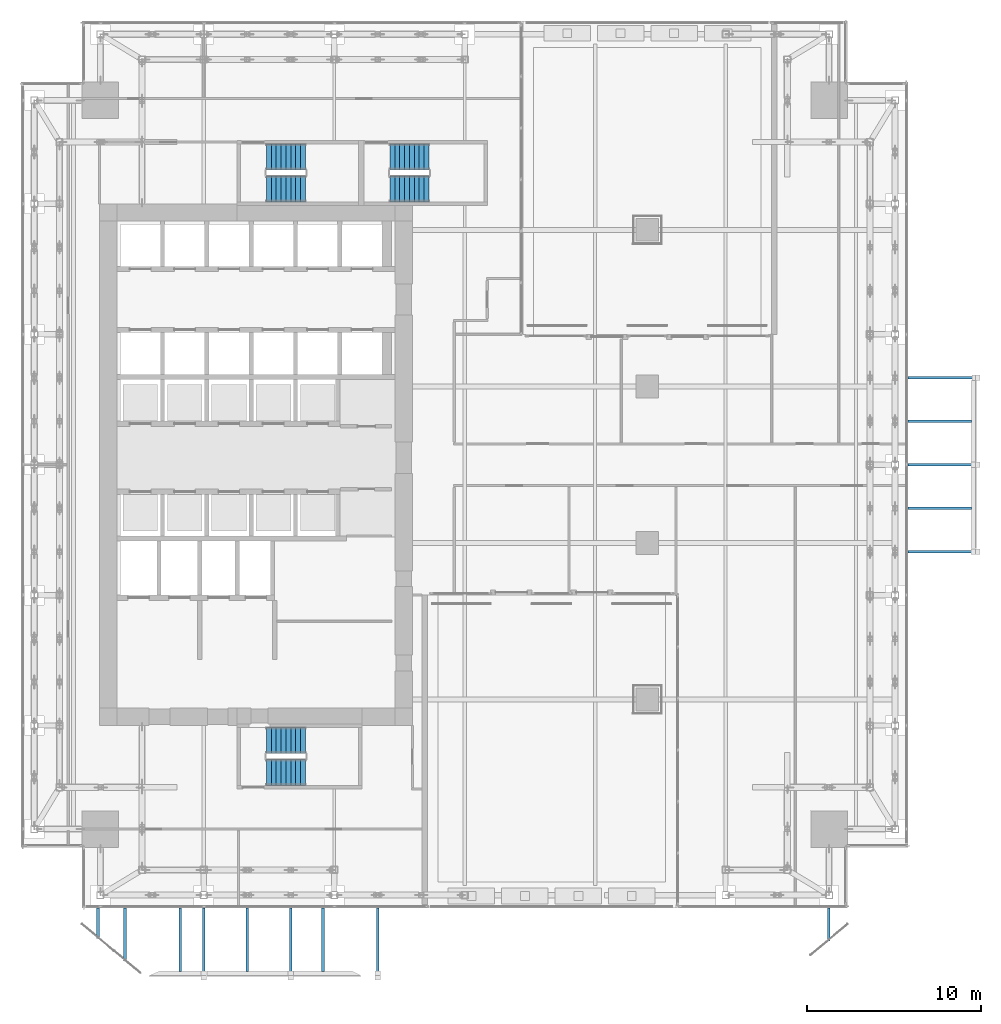
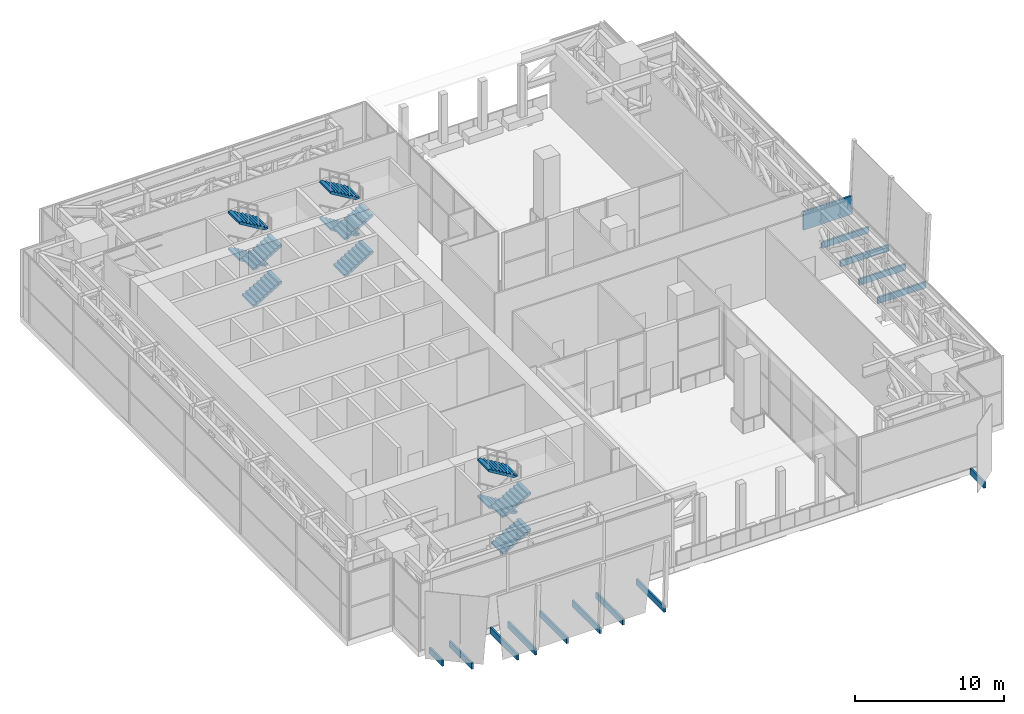
# One storey, part 39 of 47: 14 discrete accessories, 12 stair flights, 3 elements without a shape of their own.
"""IFC4 building model written with IfcOpenShell, lengths in metres."""

import ifcopenshell
import ifcopenshell.guid

model = None  # the IFC model being written
_history = None  # IfcOwnerHistory: only IFC2X3 demands one
_inside = {}  # id of a spatial element -> (the spatial element, [elements in it])
_under = {}  # id of a project, library or spatial element -> (it, [spatial elements below it])
_declared = {}  # id of a project -> (the project, [libraries it declares])
_typed = {}  # id of a type object -> (the type object, [elements of that type])
_made_of = {}  # id of a material, layer set ... -> (it, [elements and type objects made of it])


def new_model(schema):
    """Start an empty IFC model of exactly this schema.

    Asked for "IFC4X3", IfcOpenShell would pick the latest addendum, in which some entities
    have other attributes; the version numbers below select the first issue.
    IFC2X3 requires an IfcOwnerHistory on every rooted entity: one is made here for all.
    """
    global model, _history
    if schema == "IFC4X3":
        model = ifcopenshell.file(schema_version=(4, 3, 0, 0))
    else:
        model = ifcopenshell.file(schema=schema)
    _inside.clear()
    _under.clear()
    _declared.clear()
    _typed.clear()
    _made_of.clear()
    _history = None
    if model.schema == "IFC2X3":
        org = make("IfcOrganization", Name="unknown")
        user = make(
            "IfcPersonAndOrganization",
            ThePerson=make("IfcPerson", FamilyName="unknown"),
            TheOrganization=org,
        )
        app = make(
            "IfcApplication",
            ApplicationDeveloper=org,
            Version="unknown",
            ApplicationFullName="unknown",
            ApplicationIdentifier="unknown",
        )
        _history = make(
            "IfcOwnerHistory",
            OwningUser=user,
            OwningApplication=app,
            ChangeAction="ADDED",
            CreationDate=0,
        )
    return model


def make(cls, **values):
    """One entity of the class cls with the attributes given. An attribute that is None is left unset."""
    return model.create_entity(
        cls, **{name: value for name, value in values.items() if value is not None}
    )


def rooted(cls, **values):
    """An entity with a GlobalId (a new one), such as an element, a storey or a relation."""
    return make(cls, GlobalId=ifcopenshell.guid.new(), OwnerHistory=_history, **values)


def si_unit(unit_type, name, prefix=None):
    """IfcSIUnit, for example si_unit("LENGTHUNIT", "METRE", prefix="MILLI")."""
    return make("IfcSIUnit", UnitType=unit_type, Prefix=prefix, Name=name)


def assignment(units):
    """IfcUnitAssignment: the units of a project."""
    return None if units is None else make("IfcUnitAssignment", Units=units)


def point(xyz):
    """IfcCartesianPoint."""
    return None if xyz is None else make("IfcCartesianPoint", Coordinates=xyz)


def direction(xyz):
    """IfcDirection."""
    return None if xyz is None else make("IfcDirection", DirectionRatios=xyz)


def frame(location, z_axis=None, x_axis=None):
    """IfcAxis2Placement3D, a coordinate frame: its origin and axes. An axis left out is left unset."""
    return make(
        "IfcAxis2Placement3D",
        Location=point(location),
        Axis=direction(z_axis),
        RefDirection=direction(x_axis),
    )


def frame_2d(location, x_axis=None):
    """IfcAxis2Placement2D, a coordinate frame in the plane: its origin and x axis."""
    return make(
        "IfcAxis2Placement2D", Location=point(location), RefDirection=direction(x_axis)
    )


def origin():
    """The frame at (0, 0, 0) with its axes left unset."""
    return frame((0.0, 0.0, 0.0))


def origin_2d():
    """The frame at (0, 0) in the plane with its x axis left unset."""
    return frame_2d((0.0, 0.0))


def place(relative_to, where):
    """IfcLocalPlacement: puts the frame where relative to a parent placement (None: the world)."""
    return make(
        "IfcLocalPlacement", PlacementRelTo=relative_to, RelativePlacement=where
    )


def context(
    kind, dimensions, precision=None, world=None, true_north=None, identifier=None
):
    """IfcGeometricRepresentationContext, for example the 3D "Model" context."""
    return make(
        "IfcGeometricRepresentationContext",
        ContextIdentifier=identifier,
        ContextType=kind,
        CoordinateSpaceDimension=dimensions,
        Precision=precision,
        WorldCoordinateSystem=world,
        TrueNorth=true_north,
    )


def subcontext(parent, identifier, kind, view, scale=None):
    """IfcGeometricRepresentationSubContext, for example "Body" below "Model"."""
    return make(
        "IfcGeometricRepresentationSubContext",
        ContextIdentifier=identifier,
        ContextType=kind,
        ParentContext=parent,
        TargetScale=scale,
        TargetView=view,
    )


def project(units=None, contexts=None):
    """IfcProject with its units and contexts."""
    return rooted(
        "IfcProject",
        Name="project",
        RepresentationContexts=contexts,
        UnitsInContext=assignment(units),
    )


def spatial(cls, under=None, at=None, **own):
    """A site, building, storey or space (cls), placed at a placement, below another one or the project."""
    s = rooted(cls, ObjectPlacement=at, **own)
    if under is not None:
        _under.setdefault(under.id(), (under, []))[1].append(s)
    return s


def polyline(points):
    """IfcPolyline through the points."""
    return make("IfcPolyline", Points=[point(p) for p in points])


def profile(cls, at=None, kind="AREA", **sizes):
    """A parametric profile (cls). Its sizes go by their IFC names, for example OverallWidth=200.0."""
    return make(cls, ProfileType=kind, Position=at, **sizes)


def rectangle(**sizes):
    """IfcRectangleProfileDef."""
    return profile("IfcRectangleProfileDef", **sizes)


def outline(outer, holes=None, kind="AREA"):
    """IfcArbitraryClosedProfileDef: a profile drawn as a closed curve; with holes, ...WithVoids."""
    if holes is None:
        return make("IfcArbitraryClosedProfileDef", ProfileType=kind, OuterCurve=outer)
    return make(
        "IfcArbitraryProfileDefWithVoids",
        ProfileType=kind,
        OuterCurve=outer,
        InnerCurves=holes,
    )


def extrude(swept, where, along, depth):
    """IfcExtrudedAreaSolid: the profile swept, set in the frame where, extruded along a direction by depth."""
    return make(
        "IfcExtrudedAreaSolid",
        SweptArea=swept,
        Position=where,
        ExtrudedDirection=direction(along),
        Depth=depth,
    )


def shape(context_of_items, identifier, shape_type, items):
    """IfcShapeRepresentation: the items that make up one representation, for example the "Body"."""
    return make(
        "IfcShapeRepresentation",
        ContextOfItems=context_of_items,
        RepresentationIdentifier=identifier,
        RepresentationType=shape_type,
        Items=items,
    )


def source(mapping_origin, context_of_items, identifier, shape_type, items):
    """IfcRepresentationMap: a shape defined once, which mapped items show again and again."""
    return make(
        "IfcRepresentationMap",
        MappingOrigin=mapping_origin,
        MappedRepresentation=shape(context_of_items, identifier, shape_type, items),
    )


def transform(
    local_origin,
    x_axis=None,
    y_axis=None,
    z_axis=None,
    scale=None,
    scale2=None,
    scale3=None,
    uniform=True,
):
    """IfcCartesianTransformationOperator3D, or its non-uniform kind. x_axis, y_axis, z_axis: its Axis1, 2, 3."""
    if uniform:
        return make(
            "IfcCartesianTransformationOperator3D",
            Axis1=direction(x_axis),
            Axis2=direction(y_axis),
            LocalOrigin=point(local_origin),
            Scale=scale,
            Axis3=direction(z_axis),
        )
    return make(
        "IfcCartesianTransformationOperator3DnonUniform",
        Axis1=direction(x_axis),
        Axis2=direction(y_axis),
        LocalOrigin=point(local_origin),
        Scale=scale,
        Axis3=direction(z_axis),
        Scale2=scale2,
        Scale3=scale3,
    )


def mapped(mapping_source, mapping_target):
    """IfcMappedItem: shows the shape of a source again, moved by a transform."""
    return make(
        "IfcMappedItem", MappingSource=mapping_source, MappingTarget=mapping_target
    )


def material(Name=None, Category=None):
    """IfcMaterial."""
    return make("IfcMaterial", Name=Name, Category=Category)


def made_of(thing, what):
    """Note that an element or type object is made of a material, layer set ...; save() writes the relation."""
    if what is not None:
        _made_of.setdefault(what.id(), (what, []))[1].append(thing)
    return thing


def type_object(cls, material=None, **own):
    """A type object (cls), such as IfcWallType, which elements share."""
    return made_of(rooted(cls, **own), material)


def element(
    cls,
    number,
    at=None,
    inside=None,
    cuts=None,
    type_object=None,
    material=None,
    context=None,
    identifier="Body",
    shape_type=None,
    held_by="IfcProductDefinitionShape",
    body=None,
    shapes=None,
    **own,
):
    """One element of the class cls, such as IfcWall. Its Tag is "e" and its number.

    at: its placement. inside: the storey or other place that contains it. cuts: it is an
    opening in that element (IfcRelVoidsElement). A single representation is given by context,
    identifier, shape_type and body (its items); several are given by shapes. held_by: the class
    of the entity that holds the representations. save() writes the other relations.
    """
    e = rooted(cls, Tag="e%d" % number, ObjectPlacement=at, **own)
    if body is not None:
        shapes = [shape(context, identifier, shape_type, body)]
    if shapes is not None:
        e.Representation = make(held_by, Representations=shapes)
    if inside is not None:
        _inside.setdefault(inside.id(), (inside, []))[1].append(e)
    if cuts is not None:
        rooted(
            "IfcRelVoidsElement", RelatingBuildingElement=cuts, RelatedOpeningElement=e
        )
    if type_object is not None:
        _typed.setdefault(type_object.id(), (type_object, []))[1].append(e)
    return made_of(e, material)


def aggregate(whole, parts):
    """IfcRelAggregates: a whole, such as a stair, and the parts it consists of."""
    return rooted("IfcRelAggregates", RelatingObject=whole, RelatedObjects=parts)


def save(model, path):
    """Write the relations noted so far, then the file.

    IfcRelAggregates (storeys below a building ...), IfcRelContainedInSpatialStructure (elements
    in a storey), IfcRelDefinesByType, IfcRelAssociatesMaterial and IfcRelDeclares: one each for
    every whole, place, type object, material and project.
    """
    for whole, parts in _under.values():
        aggregate(whole, parts)
    for where, things in _inside.values():
        rooted(
            "IfcRelContainedInSpatialStructure",
            RelatedElements=things,
            RelatingStructure=where,
        )
    for kind, things in _typed.values():
        rooted("IfcRelDefinesByType", RelatedObjects=things, RelatingType=kind)
    for what, things in _made_of.values():
        rooted("IfcRelAssociatesMaterial", RelatedObjects=things, RelatingMaterial=what)
    for by, libraries in _declared.values():
        rooted("IfcRelDeclares", RelatingContext=by, RelatedDefinitions=libraries)
    model.write(path)


model = new_model("IFC4")

# Units and contexts
model_context = context("Model", 3, precision=1e-05, world=origin(), true_north=direction((0.0, 1.0)))
body_context = subcontext(model_context, "Body", "Model", "MODEL_VIEW")
ifc_project = project(units=[si_unit("LENGTHUNIT", "METRE"), si_unit("AREAUNIT", "SQUARE_METRE"), si_unit("VOLUMEUNIT", "CUBIC_METRE"), si_unit("PLANEANGLEUNIT", "RADIAN"), si_unit("MASSUNIT", "GRAM", prefix="KILO")], contexts=[model_context])

# Site, building, storey
site_placement = place(None, origin())
site = spatial("IfcSite", under=ifc_project, at=site_placement, CompositionType="ELEMENT")
building_placement = place(site_placement, origin())
building = spatial("IfcBuilding", under=site, at=building_placement, Name="Khomas Fold Tower", CompositionType="ELEMENT")
storey_placement = place(building_placement, frame((0.0, 0.0, 158.699951171875)))
storey = spatial("IfcBuildingStorey", under=building, at=storey_placement, Name="L34", CompositionType="ELEMENT", Elevation=158.699951171875)

# Stair, stair flights
ifc_material_1 = material(Name="Concrete C40/50", Category="concrete")
stair_type_1 = type_object("IfcStairType", Name="Stair ST1", PredefinedType="HALF_TURN_STAIR", material=ifc_material_1)
stair_1_placement = place(storey_placement, origin())
stair_1 = element("IfcStair", 1, at=stair_1_placement, inside=storey, type_object=stair_type_1, Name="L34 ST1", PredefinedType="HALF_TURN_STAIR")
ifc_material_2 = material(Name="Concrete C40/50", Category="concrete")
stair_flight_type_1 = type_object("IfcStairFlightType", Name="Stair flight 1500 ST1", PredefinedType="STRAIGHT", material=ifc_material_2)
shared_shape_1 = source(origin(), body_context, "Body", "SweptSolid", [
    extrude(outline(polyline([(0.0, 0.0), (0.0, 0.00146484375), (0.0, 0.002685546875), (0.0, 0.004150390625), (0.0, 0.005615234375), (0.0, 0.0068359375), (0.0, 0.00830078125), (0.0, 0.009521484375), (0.0, 0.010986328125), (0.0, 0.012451171875), (0.0, 0.013671875), (0.0, 0.01513671875), (0.0, 0.0166015625), (0.0, 0.017822265625), (0.0, 0.019287109375), (0.0, 0.020751953125), (0.0, 0.02197265625), (0.0, 0.0234375), (0.0, 0.02490234375), (0.0, 0.026123046875), (0.0, 0.027587890625), (0.0, 0.02880859375), (0.0, 0.0302734375), (0.0, 0.03173828125), (0.0, 0.032958984375), (0.0, 0.034423828125), (0.0, 0.035888671875), (0.0, 0.037109375), (0.0, 0.03857421875), (0.0, 0.0400390625), (0.0, 0.041259765625), (0.0, 0.042724609375), (0.0, 0.044189453125), (0.0, 0.04541015625), (0.0, 0.046875), (0.0, 0.048095703125), (0.0, 0.049560546875), (0.0, 0.051025390625), (0.0, 0.05224609375), (0.0, 0.0537109375), (0.0, 0.05517578125), (0.0, 0.056396484375), (0.0, 0.057861328125), (0.0, 0.059326171875), (0.0, 0.060546875), (0.0, 0.06201171875), (0.0, 0.0634765625), (0.0, 0.064697265625), (0.0, 0.066162109375), (0.0, 0.0673828125), (0.0, 0.06884765625), (0.0, 0.0703125), (0.0, 0.071533203125), (0.0, 0.072998046875), (0.0, 0.074462890625), (0.0, 0.07568359375), (0.0, 0.0771484375), (0.0, 0.07861328125), (0.0, 0.079833984375), (0.0, 0.081298828125), (0.0, 0.082763671875), (0.0, 0.083984375), (0.0, 0.08544921875), (0.0, 0.086669921875), (0.0, 0.088134765625), (0.0, 0.089599609375), (0.0, 0.0908203125), (0.0, 0.09228515625), (0.0, 0.09375), (0.0, 0.094970703125), (0.0, 0.096435546875), (0.0, 0.097900390625), (0.0, 0.09912109375), (0.0, 0.1005859375), (0.0, 0.101806640625), (0.0, 0.103271484375), (0.0, 0.104736328125), (0.0, 0.10595703125), (0.0, 0.107421875), (0.0, 0.10888671875), (0.0, 0.110107421875), (0.0, 0.111572265625), (0.0, 0.113037109375), (0.0, 0.1142578125), (0.0, 0.11572265625), (0.0, 0.1171875), (0.0, 0.118408203125), (0.0, 0.119873046875), (0.0, 0.12109375), (0.0, 0.12255859375), (0.0, 0.1240234375), (0.0, 0.125244140625), (0.0, 0.126708984375), (0.0, 0.128173828125), (0.0, 0.12939453125), (0.0, 0.130859375), (0.0, 0.13232421875), (0.0, 0.133544921875), (0.0, 0.135009765625), (0.0, 0.136474609375), (0.0, 0.1376953125), (0.0, 0.13916015625), (0.0, 0.140380859375), (0.0, 0.141845703125), (0.0, 0.143310546875), (0.0, 0.14453125), (0.0, 0.14599609375), (0.0, 0.1474609375), (0.0, 0.148681640625), (0.0, 0.150146484375), (0.0, 0.151611328125), (0.0, 0.15283203125), (0.0, 0.154296875), (0.0, 0.15576171875), (0.0, 0.156982421875), (0.0, 0.158447265625), (0.0, 0.15966796875), (0.0, 0.1611328125), (0.0, 0.16259765625), (0.0, 0.163818359375), (0.0, 0.165283203125), (0.0, 0.166748046875), (0.280029296875, 0.166748046875), (0.280029296875, 0.333251953125), (0.56005859375, 0.333251953125), (0.56005859375, 0.5), (0.840087890625, 0.5), (0.840087890625, 0.666748046875), (1.1201171875, 0.666748046875), (1.1201171875, 0.833251953125), (1.39990234375, 0.833251953125), (1.39990234375, 1.0), (1.679931640625, 1.0), (1.679931640625, 1.166748046875), (1.9599609375, 1.166748046875), (1.9599609375, 1.333251953125), (2.239990234375, 1.333251953125), (2.239990234375, 1.5), (2.239990234375, 1.4970703125), (2.239990234375, 1.494384765625), (2.239990234375, 1.491455078125), (2.239990234375, 1.48876953125), (2.239990234375, 1.48583984375), (2.239990234375, 1.483154296875), (2.239990234375, 1.480224609375), (2.239990234375, 1.4775390625), (2.239990234375, 1.474609375), (2.239990234375, 1.471923828125), (2.239990234375, 1.468994140625), (2.239990234375, 1.466064453125), (2.239990234375, 1.46337890625), (2.239990234375, 1.46044921875), (2.239990234375, 1.457763671875), (2.239990234375, 1.454833984375), (2.239990234375, 1.4521484375), (2.239990234375, 1.44921875), (2.239990234375, 1.446533203125), (2.239990234375, 1.443603515625), (2.239990234375, 1.44091796875), (2.239990234375, 1.43798828125), (2.239990234375, 1.43505859375), (2.239990234375, 1.432373046875), (2.239990234375, 1.429443359375), (2.239990234375, 1.4267578125), (2.239990234375, 1.423828125), (2.239990234375, 1.421142578125), (2.239990234375, 1.418212890625), (2.239990234375, 1.41552734375), (2.239990234375, 1.41259765625), (2.239990234375, 1.40966796875), (2.239990234375, 1.406982421875), (2.239990234375, 1.404052734375), (2.239990234375, 1.4013671875), (2.239990234375, 1.3984375), (2.239990234375, 1.395751953125), (2.239990234375, 1.392822265625), (2.239990234375, 1.39013671875), (2.239990234375, 1.38720703125), (2.239990234375, 1.384521484375), (2.239990234375, 1.381591796875), (2.239990234375, 1.378662109375), (2.239990234375, 1.3759765625), (2.239990234375, 1.373046875), (2.239990234375, 1.370361328125), (2.239990234375, 1.367431640625), (2.239990234375, 1.36474609375), (2.239990234375, 1.36181640625), (2.239990234375, 1.359130859375), (2.239990234375, 1.356201171875), (2.239990234375, 1.353515625), (2.239990234375, 1.3505859375), (2.239990234375, 1.34765625), (2.239990234375, 1.344970703125), (2.239990234375, 1.342041015625), (2.239990234375, 1.33935546875), (2.239990234375, 1.33642578125), (2.239990234375, 1.333740234375), (2.239990234375, 1.330810546875), (2.239990234375, 1.328125), (2.239990234375, 1.3251953125), (2.239990234375, 1.322509765625), (2.239990234375, 1.319580078125), (2.239990234375, 1.316650390625), (2.239990234375, 1.31396484375), (2.239990234375, 1.31103515625), (2.239990234375, 1.308349609375), (2.239990234375, 1.305419921875), (2.239990234375, 1.302734375), (2.239990234375, 1.2998046875), (2.239990234375, 1.297119140625), (2.239990234375, 1.294189453125), (2.239990234375, 1.29150390625), (2.239990234375, 1.28857421875), (2.239990234375, 1.28564453125), (2.239990234375, 1.282958984375), (2.239990234375, 1.280029296875), (2.239990234375, 1.27734375), (2.239990234375, 1.2744140625), (2.239990234375, 1.271728515625), (2.239990234375, 1.268798828125), (2.239990234375, 1.26611328125), (2.239990234375, 1.26318359375), (2.239990234375, 1.26025390625), (2.239990234375, 1.257568359375), (2.239990234375, 1.254638671875), (2.239990234375, 1.251953125), (2.239990234375, 1.2490234375), (2.239990234375, 1.246337890625), (2.239990234375, 1.243408203125), (2.239990234375, 1.24072265625), (2.239990234375, 1.23779296875), (2.239990234375, 1.235107421875), (2.239990234375, 1.232177734375), (2.239990234375, 1.229248046875), (2.239990234375, 1.2265625), (2.239990234375, 1.2236328125), (2.239990234375, 1.220947265625), (2.239990234375, 1.218017578125), (2.239990234375, 1.21533203125), (2.239990234375, 1.21240234375), (2.239990234375, 1.209716796875), (2.239990234375, 1.206787109375), (2.239990234375, 1.2041015625), (2.239990234375, 1.201171875), (2.239990234375, 1.1982421875), (2.239990234375, 1.195556640625), (2.239990234375, 1.192626953125), (2.239990234375, 1.18994140625), (2.239990234375, 1.18701171875), (2.239990234375, 1.184326171875), (2.239990234375, 1.181396484375), (2.239990234375, 1.1787109375), (2.239990234375, 1.17578125), (2.239990234375, 1.173095703125), (2.239990234375, 1.170166015625), (2.239990234375, 1.167236328125), (2.239990234375, 1.16455078125), (2.239990234375, 1.16162109375), (2.239990234375, 1.158935546875), (0.29296875, 0.0), (0.0, 0.0)])), frame((0.0, 0.75, 0.0), z_axis=(0.0, -1.0, 0.0), x_axis=(1.0, 0.0, 0.0)), (0.0, 0.0, 1.0), 1.5),
])
stair_flight_1_placement = place(storey_placement, frame((15.60009765625, 42.85009765625, 0.0), z_axis=(0.0, 0.0, 1.0), x_axis=(1.0, 0.0, 0.0)))
stair_flight_1 = element("IfcStairFlight", 2, at=stair_flight_1_placement, type_object=stair_flight_type_1, Name="ST1 flight 1", NumberOfRisers=9, NumberOfTreads=8, PredefinedType="STRAIGHT", RiserHeight=0.166666667, TreadLength=0.28, context=body_context, shape_type="MappedRepresentation", body=[
    mapped(shared_shape_1, transform((0.0, 0.0, 0.0))),
])
stair_flight_2_placement = place(storey_placement, frame((17.840087890625, 44.699951171875, 1.5), z_axis=(0.0, 0.0, 1.0), x_axis=(-1.0, 0.0, 0.0)))
stair_flight_2 = element("IfcStairFlight", 3, at=stair_flight_2_placement, type_object=stair_flight_type_1, Name="ST1 flight 2", NumberOfRisers=9, NumberOfTreads=8, PredefinedType="STRAIGHT", RiserHeight=0.166666667, TreadLength=0.28, context=body_context, shape_type="MappedRepresentation", body=[
    mapped(shared_shape_1, transform((0.0, 0.0, 0.0))),
])
stair_flight_3_placement = place(storey_placement, frame((15.60009765625, 42.85009765625, 3.0), z_axis=(0.0, 0.0, 1.0), x_axis=(1.0, 0.0, 0.0)))
stair_flight_3 = element("IfcStairFlight", 4, at=stair_flight_3_placement, type_object=stair_flight_type_1, Name="ST1 flight 3", NumberOfRisers=9, NumberOfTreads=8, PredefinedType="STRAIGHT", RiserHeight=0.166666667, TreadLength=0.28, context=body_context, shape_type="MappedRepresentation", body=[
    mapped(shared_shape_1, transform((0.0, 0.0, 0.0))),
])
stair_flight_4_placement = place(storey_placement, frame((17.840087890625, 44.699951171875, 4.5), z_axis=(0.0, 0.0, 1.0), x_axis=(-1.0, 0.0, 0.0)))
stair_flight_4 = element("IfcStairFlight", 5, at=stair_flight_4_placement, type_object=stair_flight_type_1, Name="ST1 flight 4", NumberOfRisers=9, NumberOfTreads=8, PredefinedType="STRAIGHT", RiserHeight=0.166666667, TreadLength=0.28, context=body_context, shape_type="MappedRepresentation", body=[
    mapped(shared_shape_1, transform((0.0, 0.0, 0.0))),
])
aggregate(stair_1, [stair_flight_1, stair_flight_2, stair_flight_3, stair_flight_4])

ifc_material_3 = material(Name="Concrete C40/50", Category="concrete")
stair_type_2 = type_object("IfcStairType", Name="Stair ST2", PredefinedType="HALF_TURN_STAIR", material=ifc_material_3)
stair_2_placement = place(storey_placement, origin())
stair_2 = element("IfcStair", 6, at=stair_2_placement, inside=storey, type_object=stair_type_2, Name="L34 ST2", PredefinedType="HALF_TURN_STAIR")
ifc_material_4 = material(Name="Concrete C40/50", Category="concrete")
stair_flight_type_2 = type_object("IfcStairFlightType", Name="Stair flight 1500 ST2", PredefinedType="STRAIGHT", material=ifc_material_4)
stair_flight_5_placement = place(storey_placement, frame((15.60009765625, 9.300048828125, 0.0), z_axis=(0.0, 0.0, 1.0), x_axis=(1.0, 0.0, 0.0)))
stair_flight_5 = element("IfcStairFlight", 7, at=stair_flight_5_placement, type_object=stair_flight_type_2, Name="ST2 flight 1", NumberOfRisers=9, NumberOfTreads=8, PredefinedType="STRAIGHT", RiserHeight=0.166666667, TreadLength=0.28, context=body_context, shape_type="MappedRepresentation", body=[
    mapped(shared_shape_1, transform((0.0, 0.0, 0.0))),
])
stair_flight_6_placement = place(storey_placement, frame((17.840087890625, 11.14990234375, 1.5), z_axis=(0.0, 0.0, 1.0), x_axis=(-1.0, 0.0, 0.0)))
stair_flight_6 = element("IfcStairFlight", 8, at=stair_flight_6_placement, type_object=stair_flight_type_2, Name="ST2 flight 2", NumberOfRisers=9, NumberOfTreads=8, PredefinedType="STRAIGHT", RiserHeight=0.166666667, TreadLength=0.28, context=body_context, shape_type="MappedRepresentation", body=[
    mapped(shared_shape_1, transform((0.0, 0.0, 0.0))),
])
stair_flight_7_placement = place(storey_placement, frame((15.60009765625, 9.300048828125, 3.0), z_axis=(0.0, 0.0, 1.0), x_axis=(1.0, 0.0, 0.0)))
stair_flight_7 = element("IfcStairFlight", 9, at=stair_flight_7_placement, type_object=stair_flight_type_2, Name="ST2 flight 3", NumberOfRisers=9, NumberOfTreads=8, PredefinedType="STRAIGHT", RiserHeight=0.166666667, TreadLength=0.28, context=body_context, shape_type="MappedRepresentation", body=[
    mapped(shared_shape_1, transform((0.0, 0.0, 0.0))),
])
stair_flight_8_placement = place(storey_placement, frame((17.840087890625, 11.14990234375, 4.5), z_axis=(0.0, 0.0, 1.0), x_axis=(-1.0, 0.0, 0.0)))
stair_flight_8 = element("IfcStairFlight", 10, at=stair_flight_8_placement, type_object=stair_flight_type_2, Name="ST2 flight 4", NumberOfRisers=9, NumberOfTreads=8, PredefinedType="STRAIGHT", RiserHeight=0.166666667, TreadLength=0.28, context=body_context, shape_type="MappedRepresentation", body=[
    mapped(shared_shape_1, transform((0.0, 0.0, 0.0))),
])
aggregate(stair_2, [stair_flight_5, stair_flight_6, stair_flight_7, stair_flight_8])

ifc_material_5 = material(Name="Concrete C40/50", Category="concrete")
stair_type_3 = type_object("IfcStairType", Name="Stair ST3", PredefinedType="HALF_TURN_STAIR", material=ifc_material_5)
stair_3_placement = place(storey_placement, origin())
stair_3 = element("IfcStair", 11, at=stair_3_placement, inside=storey, type_object=stair_type_3, Name="L34 ST3", PredefinedType="HALF_TURN_STAIR")
ifc_material_6 = material(Name="Concrete C40/50", Category="concrete")
stair_flight_type_3 = type_object("IfcStairFlightType", Name="Stair flight 1500 ST3", PredefinedType="STRAIGHT", material=ifc_material_6)
stair_flight_9_placement = place(storey_placement, frame((22.699951171875, 42.85009765625, 0.0), z_axis=(0.0, 0.0, 1.0), x_axis=(1.0, 0.0, 0.0)))
stair_flight_9 = element("IfcStairFlight", 12, at=stair_flight_9_placement, type_object=stair_flight_type_3, Name="ST3 flight 1", NumberOfRisers=9, NumberOfTreads=8, PredefinedType="STRAIGHT", RiserHeight=0.166666667, TreadLength=0.28, context=body_context, shape_type="MappedRepresentation", body=[
    mapped(shared_shape_1, transform((0.0, 0.0, 0.0))),
])
stair_flight_10_placement = place(storey_placement, frame((24.93994140625, 44.699951171875, 1.5), z_axis=(0.0, 0.0, 1.0), x_axis=(-1.0, 0.0, 0.0)))
stair_flight_10 = element("IfcStairFlight", 13, at=stair_flight_10_placement, type_object=stair_flight_type_3, Name="ST3 flight 2", NumberOfRisers=9, NumberOfTreads=8, PredefinedType="STRAIGHT", RiserHeight=0.166666667, TreadLength=0.28, context=body_context, shape_type="MappedRepresentation", body=[
    mapped(shared_shape_1, transform((0.0, 0.0, 0.0))),
])
stair_flight_11_placement = place(storey_placement, frame((22.699951171875, 42.85009765625, 3.0), z_axis=(0.0, 0.0, 1.0), x_axis=(1.0, 0.0, 0.0)))
stair_flight_11 = element("IfcStairFlight", 14, at=stair_flight_11_placement, type_object=stair_flight_type_3, Name="ST3 flight 3", NumberOfRisers=9, NumberOfTreads=8, PredefinedType="STRAIGHT", RiserHeight=0.166666667, TreadLength=0.28, context=body_context, shape_type="MappedRepresentation", body=[
    mapped(shared_shape_1, transform((0.0, 0.0, 0.0))),
])
stair_flight_12_placement = place(storey_placement, frame((24.93994140625, 44.699951171875, 4.5), z_axis=(0.0, 0.0, 1.0), x_axis=(-1.0, 0.0, 0.0)))
stair_flight_12 = element("IfcStairFlight", 15, at=stair_flight_12_placement, type_object=stair_flight_type_3, Name="ST3 flight 4", NumberOfRisers=9, NumberOfTreads=8, PredefinedType="STRAIGHT", RiserHeight=0.166666667, TreadLength=0.28, context=body_context, shape_type="MappedRepresentation", body=[
    mapped(shared_shape_1, transform((0.0, 0.0, 0.0))),
])
aggregate(stair_3, [stair_flight_9, stair_flight_10, stair_flight_11, stair_flight_12])

# Discrete accessories
ifc_material_7 = material(Name="Stainless steel", Category="steel")
discrete_accessory_type = type_object("IfcDiscreteAccessoryType", Name="SK-Stainless steel stone bracket", PredefinedType="BRACKET", material=ifc_material_7)
shared_shape_2 = source(origin(), body_context, "Body", "SweptSolid", [
    extrude(rectangle(XDim=1.75, YDim=0.14990234375, at=origin_2d()), origin(), (0.0, 0.0, 1.0), 0.510009765625),
])
discrete_accessory_1_placement = place(storey_placement, frame((5.9150390625, 0.625, -0.4501953125), z_axis=(0.0, 0.0, 1.0), x_axis=(0.0, -1.0, 0.0)))
element("IfcDiscreteAccessory", 16, at=discrete_accessory_1_placement, inside=storey, type_object=discrete_accessory_type, Name="Stone bracket L34 SG098-1-1", PredefinedType="BRACKET", context=body_context, shape_type="MappedRepresentation", body=[
    mapped(shared_shape_2, transform((0.0, 0.0, 0.0))),
])
shared_shape_3 = source(origin(), body_context, "Body", "SweptSolid", [
    extrude(rectangle(XDim=3.04248046875, YDim=0.14990234375, at=origin_2d()), origin(), (0.0, 0.0, 1.0), 0.510009765625),
])
discrete_accessory_2_placement = place(storey_placement, frame((7.466064453125, -0.021240234375, -0.4501953125), z_axis=(0.0, 0.0, 1.0), x_axis=(0.0, -1.0, 0.0)))
element("IfcDiscreteAccessory", 17, at=discrete_accessory_2_placement, inside=storey, type_object=discrete_accessory_type, Name="Stone bracket L34 SG099-2-1", PredefinedType="BRACKET", context=body_context, shape_type="MappedRepresentation", body=[
    mapped(shared_shape_3, transform((0.0, 0.0, 0.0))),
])
shared_shape_4 = source(origin(), body_context, "Body", "SweptSolid", [
    extrude(rectangle(XDim=3.6416015625, YDim=0.14990234375, at=origin_2d()), origin(), (0.0, 0.0, 1.0), 0.510009765625),
])
for number, where, z_axis, x_axis, name in (
    (18, (10.635986328125, -0.32080078125, -0.4501953125), (0.0, 0.0, 1.0), (0.0, -1.0, 0.0), "Stone bracket L34 SG099-3-1"),
    (19, (14.5, -0.32080078125, -0.4501953125), (0.0, 0.0, 1.0), (0.0, -1.0, 0.0), "Stone bracket L34 SG100-5-1"),
    (20, (18.8505859375, -0.32080078125, -0.4501953125), (0.0, 0.0, 1.0), (0.0, -1.0, 0.0), "Stone bracket L34 SG101-7-1"),
    (21, (54.32080078125, 24.5, -0.4501953125), (0.0, 0.0, 1.0), (1.0, 0.0, 0.0), "Stone bracket L34 EG102-2-1"),
    (22, (54.32080078125, 29.5, -0.4501953125), (0.0, 0.0, 1.0), (1.0, 0.0, 0.0), "Stone bracket L34 EG103-4-1"),
):
    element("IfcDiscreteAccessory", number, at=place(storey_placement, frame(where, z_axis=z_axis, x_axis=x_axis)), inside=storey, type_object=discrete_accessory_type, Name=name, PredefinedType="BRACKET", context=body_context, shape_type="MappedRepresentation", body=[
        mapped(shared_shape_4, transform((0.0, 0.0, 0.0))),
    ])
shared_shape_5 = source(origin(), body_context, "Body", "SweptSolid", [
    extrude(rectangle(XDim=3.736572265625, YDim=0.14990234375, at=origin_2d()), origin(), (0.0, 0.0, 1.0), 0.510009765625),
])
for number, where, z_axis, x_axis, name in (
    (23, (12.0, -0.368408203125, -0.4501953125), (0.0, 0.0, 1.0), (0.0, -1.0, 0.0), "Stone bracket L34 SM100-4-1"),
    (24, (17.0, -0.368408203125, -0.4501953125), (0.0, 0.0, 1.0), (0.0, -1.0, 0.0), "Stone bracket L34 SM101-6-1"),
    (25, (22.0, -0.368408203125, -0.4501953125), (0.0, 0.0, 1.0), (0.0, -1.0, 0.0), "Stone bracket L34 SM102-8-1"),
    (26, (54.368408203125, 22.0, -0.4501953125), (0.0, 0.0, 1.0), (1.0, 0.0, 0.0), "Stone bracket L34 EM102-1-1"),
    (27, (54.368408203125, 27.0, -0.4501953125), (0.0, 0.0, 1.0), (1.0, 0.0, 0.0), "Stone bracket L34 EM103-3-1"),
):
    element("IfcDiscreteAccessory", number, at=place(storey_placement, frame(where, z_axis=z_axis, x_axis=x_axis)), inside=storey, type_object=discrete_accessory_type, Name=name, PredefinedType="BRACKET", context=body_context, shape_type="MappedRepresentation", body=[
        mapped(shared_shape_5, transform((0.0, 0.0, 0.0))),
    ])
shared_shape_6 = source(origin(), body_context, "Body", "SweptSolid", [
    extrude(rectangle(XDim=1.875, YDim=0.14990234375, at=origin_2d()), origin(), (0.0, 0.0, 1.0), 0.510009765625),
])
discrete_accessory_3_placement = place(storey_placement, frame((47.93505859375, 0.5625, -0.4501953125), z_axis=(0.0, 0.0, 1.0), x_axis=(0.0, -1.0, 0.0)))
element("IfcDiscreteAccessory", 28, at=discrete_accessory_3_placement, inside=storey, type_object=discrete_accessory_type, Name="Stone bracket L34 SG107-9-1", PredefinedType="BRACKET", context=body_context, shape_type="MappedRepresentation", body=[
    mapped(shared_shape_6, transform((0.0, 0.0, 0.0))),
])
shared_shape_7 = source(origin(), body_context, "Body", "SweptSolid", [
    extrude(rectangle(XDim=3.7841796875, YDim=0.14990234375, at=origin_2d()), origin(), (0.0, 0.0, 1.0), 1.510009765625),
])
discrete_accessory_4_placement = place(storey_placement, frame((54.39208984375, 31.989501953125, -0.4501953125), z_axis=(0.0, 0.0, 1.0), x_axis=(1.0, 0.0, 0.0)))
element("IfcDiscreteAccessory", 29, at=discrete_accessory_4_placement, inside=storey, type_object=discrete_accessory_type, Name="Stone bracket L34 EM104-5-1", PredefinedType="BRACKET", context=body_context, shape_type="MappedRepresentation", body=[
    mapped(shared_shape_7, transform((0.0, 0.0, 0.0))),
])

save(model, "model.ifc")
